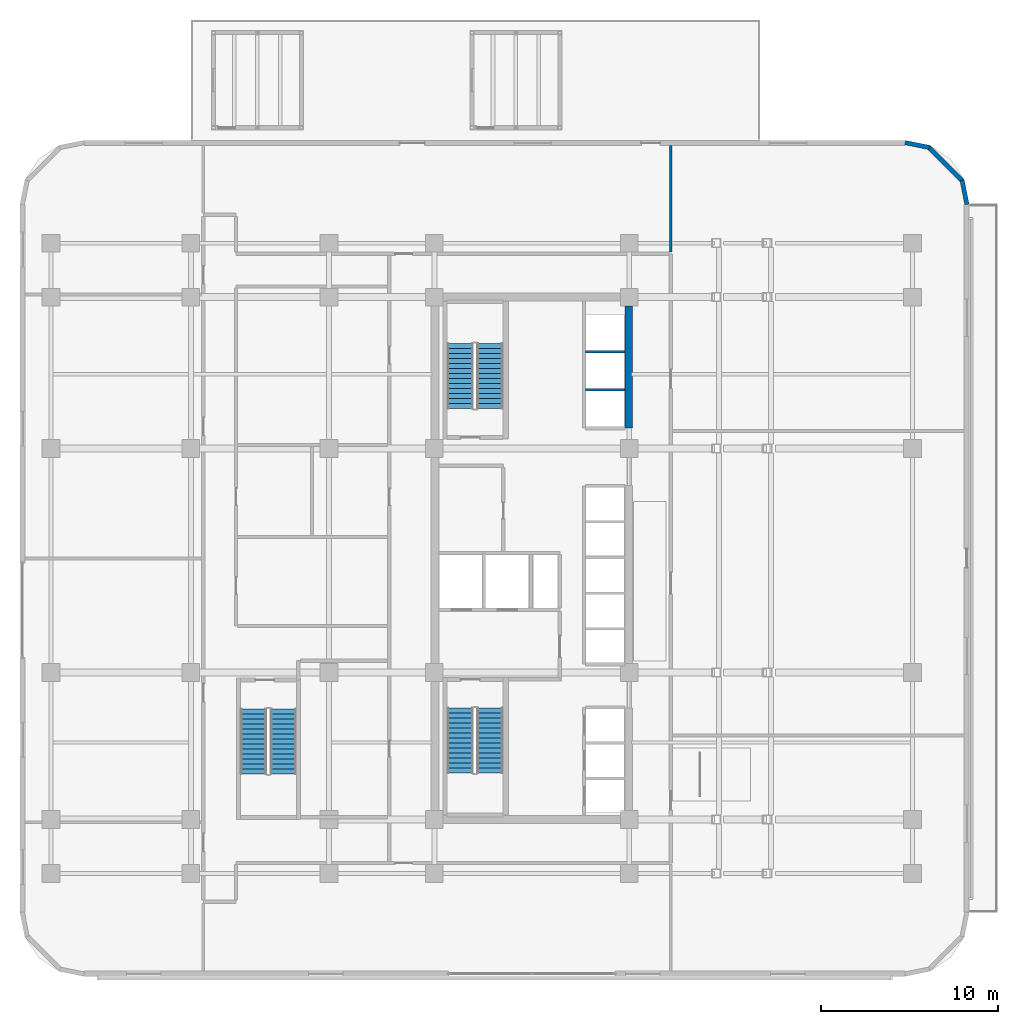
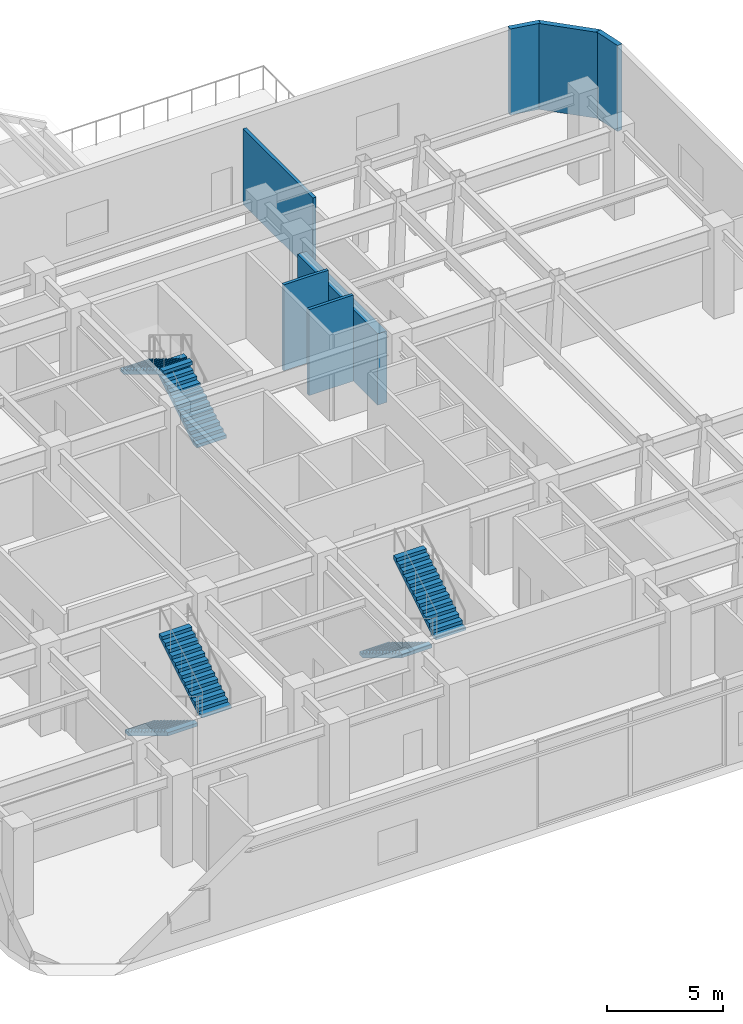
# One storey, part 11 of 18: 7 walls, 6 stair flights, 3 elements without a shape of their own.
"""IFC4 building model written with IfcOpenShell, lengths in metres."""

import ifcopenshell
import ifcopenshell.guid

model = None  # the IFC model being written
_history = None  # IfcOwnerHistory: only IFC2X3 demands one
_inside = {}  # id of a spatial element -> (the spatial element, [elements in it])
_under = {}  # id of a project, library or spatial element -> (it, [spatial elements below it])
_declared = {}  # id of a project -> (the project, [libraries it declares])
_typed = {}  # id of a type object -> (the type object, [elements of that type])
_made_of = {}  # id of a material, layer set ... -> (it, [elements and type objects made of it])


def new_model(schema):
    """Start an empty IFC model of exactly this schema.

    Asked for "IFC4X3", IfcOpenShell would pick the latest addendum, in which some entities
    have other attributes; the version numbers below select the first issue.
    IFC2X3 requires an IfcOwnerHistory on every rooted entity: one is made here for all.
    """
    global model, _history
    if schema == "IFC4X3":
        model = ifcopenshell.file(schema_version=(4, 3, 0, 0))
    else:
        model = ifcopenshell.file(schema=schema)
    _inside.clear()
    _under.clear()
    _declared.clear()
    _typed.clear()
    _made_of.clear()
    _history = None
    if model.schema == "IFC2X3":
        org = make("IfcOrganization", Name="unknown")
        user = make(
            "IfcPersonAndOrganization",
            ThePerson=make("IfcPerson", FamilyName="unknown"),
            TheOrganization=org,
        )
        app = make(
            "IfcApplication",
            ApplicationDeveloper=org,
            Version="unknown",
            ApplicationFullName="unknown",
            ApplicationIdentifier="unknown",
        )
        _history = make(
            "IfcOwnerHistory",
            OwningUser=user,
            OwningApplication=app,
            ChangeAction="ADDED",
            CreationDate=0,
        )
    return model


def make(cls, **values):
    """One entity of the class cls with the attributes given. An attribute that is None is left unset."""
    return model.create_entity(
        cls, **{name: value for name, value in values.items() if value is not None}
    )


def rooted(cls, **values):
    """An entity with a GlobalId (a new one), such as an element, a storey or a relation."""
    return make(cls, GlobalId=ifcopenshell.guid.new(), OwnerHistory=_history, **values)


def si_unit(unit_type, name, prefix=None):
    """IfcSIUnit, for example si_unit("LENGTHUNIT", "METRE", prefix="MILLI")."""
    return make("IfcSIUnit", UnitType=unit_type, Prefix=prefix, Name=name)


def assignment(units):
    """IfcUnitAssignment: the units of a project."""
    return None if units is None else make("IfcUnitAssignment", Units=units)


def point(xyz):
    """IfcCartesianPoint."""
    return None if xyz is None else make("IfcCartesianPoint", Coordinates=xyz)


def direction(xyz):
    """IfcDirection."""
    return None if xyz is None else make("IfcDirection", DirectionRatios=xyz)


def frame(location, z_axis=None, x_axis=None):
    """IfcAxis2Placement3D, a coordinate frame: its origin and axes. An axis left out is left unset."""
    return make(
        "IfcAxis2Placement3D",
        Location=point(location),
        Axis=direction(z_axis),
        RefDirection=direction(x_axis),
    )


def frame_2d(location, x_axis=None):
    """IfcAxis2Placement2D, a coordinate frame in the plane: its origin and x axis."""
    return make(
        "IfcAxis2Placement2D", Location=point(location), RefDirection=direction(x_axis)
    )


def origin():
    """The frame at (0, 0, 0) with its axes left unset."""
    return frame((0.0, 0.0, 0.0))


def place(relative_to, where):
    """IfcLocalPlacement: puts the frame where relative to a parent placement (None: the world)."""
    return make(
        "IfcLocalPlacement", PlacementRelTo=relative_to, RelativePlacement=where
    )


def context(
    kind, dimensions, precision=None, world=None, true_north=None, identifier=None
):
    """IfcGeometricRepresentationContext, for example the 3D "Model" context."""
    return make(
        "IfcGeometricRepresentationContext",
        ContextIdentifier=identifier,
        ContextType=kind,
        CoordinateSpaceDimension=dimensions,
        Precision=precision,
        WorldCoordinateSystem=world,
        TrueNorth=true_north,
    )


def subcontext(parent, identifier, kind, view, scale=None):
    """IfcGeometricRepresentationSubContext, for example "Body" below "Model"."""
    return make(
        "IfcGeometricRepresentationSubContext",
        ContextIdentifier=identifier,
        ContextType=kind,
        ParentContext=parent,
        TargetScale=scale,
        TargetView=view,
    )


def project(units=None, contexts=None):
    """IfcProject with its units and contexts."""
    return rooted(
        "IfcProject",
        Name="project",
        RepresentationContexts=contexts,
        UnitsInContext=assignment(units),
    )


def spatial(cls, under=None, at=None, **own):
    """A site, building, storey or space (cls), placed at a placement, below another one or the project."""
    s = rooted(cls, ObjectPlacement=at, **own)
    if under is not None:
        _under.setdefault(under.id(), (under, []))[1].append(s)
    return s


def polyline(points):
    """IfcPolyline through the points."""
    return make("IfcPolyline", Points=[point(p) for p in points])


def profile(cls, at=None, kind="AREA", **sizes):
    """A parametric profile (cls). Its sizes go by their IFC names, for example OverallWidth=200.0."""
    return make(cls, ProfileType=kind, Position=at, **sizes)


def rectangle(**sizes):
    """IfcRectangleProfileDef."""
    return profile("IfcRectangleProfileDef", **sizes)


def outline(outer, holes=None, kind="AREA"):
    """IfcArbitraryClosedProfileDef: a profile drawn as a closed curve; with holes, ...WithVoids."""
    if holes is None:
        return make("IfcArbitraryClosedProfileDef", ProfileType=kind, OuterCurve=outer)
    return make(
        "IfcArbitraryProfileDefWithVoids",
        ProfileType=kind,
        OuterCurve=outer,
        InnerCurves=holes,
    )


def extrude(swept, where, along, depth):
    """IfcExtrudedAreaSolid: the profile swept, set in the frame where, extruded along a direction by depth."""
    return make(
        "IfcExtrudedAreaSolid",
        SweptArea=swept,
        Position=where,
        ExtrudedDirection=direction(along),
        Depth=depth,
    )


def shape(context_of_items, identifier, shape_type, items):
    """IfcShapeRepresentation: the items that make up one representation, for example the "Body"."""
    return make(
        "IfcShapeRepresentation",
        ContextOfItems=context_of_items,
        RepresentationIdentifier=identifier,
        RepresentationType=shape_type,
        Items=items,
    )


def material(Name=None, Category=None):
    """IfcMaterial."""
    return make("IfcMaterial", Name=Name, Category=Category)


def layer(
    of_material, thickness, ventilated=None, Name=None, Category=None, Priority=None
):
    """IfcMaterialLayer: one layer of a wall or slab, of a material (None: an air gap)."""
    return make(
        "IfcMaterialLayer",
        Material=of_material,
        LayerThickness=thickness,
        IsVentilated=ventilated,
        Name=Name,
        Category=Category,
        Priority=Priority,
    )


def layer_set(layers, Name=None):
    """IfcMaterialLayerSet."""
    return make("IfcMaterialLayerSet", MaterialLayers=layers, LayerSetName=Name)


def made_of(thing, what):
    """Note that an element or type object is made of a material, layer set ...; save() writes the relation."""
    if what is not None:
        _made_of.setdefault(what.id(), (what, []))[1].append(thing)
    return thing


def type_object(cls, material=None, **own):
    """A type object (cls), such as IfcWallType, which elements share."""
    return made_of(rooted(cls, **own), material)


def element(
    cls,
    number,
    at=None,
    inside=None,
    cuts=None,
    type_object=None,
    material=None,
    context=None,
    identifier="Body",
    shape_type=None,
    held_by="IfcProductDefinitionShape",
    body=None,
    shapes=None,
    **own,
):
    """One element of the class cls, such as IfcWall. Its Tag is "e" and its number.

    at: its placement. inside: the storey or other place that contains it. cuts: it is an
    opening in that element (IfcRelVoidsElement). A single representation is given by context,
    identifier, shape_type and body (its items); several are given by shapes. held_by: the class
    of the entity that holds the representations. save() writes the other relations.
    """
    e = rooted(cls, Tag="e%d" % number, ObjectPlacement=at, **own)
    if body is not None:
        shapes = [shape(context, identifier, shape_type, body)]
    if shapes is not None:
        e.Representation = make(held_by, Representations=shapes)
    if inside is not None:
        _inside.setdefault(inside.id(), (inside, []))[1].append(e)
    if cuts is not None:
        rooted(
            "IfcRelVoidsElement", RelatingBuildingElement=cuts, RelatedOpeningElement=e
        )
    if type_object is not None:
        _typed.setdefault(type_object.id(), (type_object, []))[1].append(e)
    return made_of(e, material)


def aggregate(whole, parts):
    """IfcRelAggregates: a whole, such as a stair, and the parts it consists of."""
    return rooted("IfcRelAggregates", RelatingObject=whole, RelatedObjects=parts)


def save(model, path):
    """Write the relations noted so far, then the file.

    IfcRelAggregates (storeys below a building ...), IfcRelContainedInSpatialStructure (elements
    in a storey), IfcRelDefinesByType, IfcRelAssociatesMaterial and IfcRelDeclares: one each for
    every whole, place, type object, material and project.
    """
    for whole, parts in _under.values():
        aggregate(whole, parts)
    for where, things in _inside.values():
        rooted(
            "IfcRelContainedInSpatialStructure",
            RelatedElements=things,
            RelatingStructure=where,
        )
    for kind, things in _typed.values():
        rooted("IfcRelDefinesByType", RelatedObjects=things, RelatingType=kind)
    for what, things in _made_of.values():
        rooted("IfcRelAssociatesMaterial", RelatedObjects=things, RelatingMaterial=what)
    for by, libraries in _declared.values():
        rooted("IfcRelDeclares", RelatingContext=by, RelatedDefinitions=libraries)
    model.write(path)


model = new_model("IFC4")

# Units and contexts
model_context = context("Model", 3, precision=1e-05, world=origin(), true_north=direction((0.0, 1.0)))
body_context = subcontext(model_context, "Body", "Model", "MODEL_VIEW")
ifc_project = project(units=[si_unit("LENGTHUNIT", "METRE"), si_unit("AREAUNIT", "SQUARE_METRE"), si_unit("VOLUMEUNIT", "CUBIC_METRE"), si_unit("PLANEANGLEUNIT", "RADIAN"), si_unit("MASSUNIT", "GRAM", prefix="KILO")], contexts=[model_context])

# Site, building, storey
site_placement = place(None, origin())
site = spatial("IfcSite", under=ifc_project, at=site_placement, CompositionType="ELEMENT")
building_placement = place(site_placement, origin())
building = spatial("IfcBuilding", under=site, at=building_placement, Name="Ochreholt Gables", CompositionType="ELEMENT")
storey_placement = place(building_placement, frame((0.0, 0.0, 4.800048828125)))
storey = spatial("IfcBuildingStorey", under=building, at=storey_placement, Name="L01", CompositionType="ELEMENT", Elevation=4.800048828125)

# Walls
ifc_material_1 = material(Name="Concrete 60 MPa", Category="concrete")
ifc_layer_1 = layer(ifc_material_1, 0.449951171875, Name="Concrete 60 MPa")
ifc_layer_set_1 = layer_set([ifc_layer_1], Name="Concrete 60 MPa")
wall_type_1 = type_object("IfcWallType", Name="WALL-CSW-450", PredefinedType="SHEAR", material=ifc_layer_set_1)
wall_1_placement = place(storey_placement, frame((35.175048828125, 31.35009765625, 0.0), z_axis=(0.0, 0.0, 1.0), x_axis=(0.0, 1.0, 0.0)))
element("IfcWall", 1, at=wall_1_placement, inside=storey, type_object=wall_type_1, Name="L01 Core North-East Shear Wall", PredefinedType="SHEAR", context=body_context, shape_type="SweptSolid", body=[
    extrude(rectangle(XDim=6.89990234375, YDim=0.449951171875, at=frame_2d((3.449951171875, 0.0))), origin(), (0.0, 0.0, 1.0), 3.75),
])
ifc_material_2 = material(Name="Precast concrete 40 MPa", Category="concrete")
ifc_layer_2 = layer(ifc_material_2, 0.25, Name="Precast concrete 40 MPa")
ifc_layer_set_2 = layer_set([ifc_layer_2], Name="Precast concrete 40 MPa")
wall_type_2 = type_object("IfcWallType", Name="WALL-EXT-CNR", PredefinedType="SOLIDWALL", material=ifc_layer_set_2)
wall_2_placement = place(storey_placement, frame((54.27587890625, 43.9833984375, 0.0), z_axis=(0.0, 0.0, 1.0), x_axis=(-0.195135625965, 0.9807762678, 0.0)))
element("IfcWall", 2, at=wall_2_placement, inside=storey, type_object=wall_type_2, Name="L01 Rounded Corner Wall NE-1", PredefinedType="SOLIDWALL", context=body_context, shape_type="SweptSolid", body=[
    extrude(rectangle(XDim=1.388671875, YDim=0.25, at=frame_2d((0.6943359375, 0.0))), origin(), (0.0, 0.0, 1.0), 4.52001953125),
])
wall_3_placement = place(storey_placement, frame((54.031982421875, 45.294921875, 0.0), z_axis=(0.0, 0.0, 1.0), x_axis=(-0.707106781187, 0.707106781187, 0.0)))
element("IfcWall", 3, at=wall_3_placement, inside=storey, type_object=wall_type_2, Name="L01 Rounded Corner Wall NE-2", PredefinedType="SOLIDWALL", context=body_context, shape_type="SweptSolid", body=[
    extrude(rectangle(XDim=2.7392578125, YDim=0.25, at=frame_2d((1.36962890625, 0.0))), origin(), (0.0, 0.0, 1.0), 4.52001953125),
])
wall_4_placement = place(storey_placement, frame((52.1455078125, 47.205078125, 0.0), z_axis=(0.0, 0.0, 1.0), x_axis=(-0.980809899341, 0.19496651342, 0.0)))
element("IfcWall", 4, at=wall_4_placement, inside=storey, type_object=wall_type_2, Name="L01 Rounded Corner Wall NE-3", PredefinedType="SOLIDWALL", context=body_context, shape_type="SweptSolid", body=[
    extrude(rectangle(XDim=1.388671875, YDim=0.25, at=frame_2d((0.6943359375, 0.0))), origin(), (0.0, 0.0, 1.0), 4.52001953125),
])
ifc_material_3 = material(Name="Gypsum Acoustic Stud Partition", Category="gypsum")
ifc_layer_3 = layer(ifc_material_3, 0.159912109375, Name="Gypsum Acoustic Stud Partition")
ifc_layer_set_3 = layer_set([ifc_layer_3], Name="Gypsum Acoustic Stud Partition")
wall_type_3 = type_object("IfcWallType", Name="WALL-INT-PT160", PredefinedType="PARTITIONING", material=ifc_layer_set_3)
wall_5_placement = place(storey_placement, frame((37.550048828125, 41.294921875, 0.0), z_axis=(0.0, 0.0, 1.0), x_axis=(0.0, 1.0, 0.0)))
element("IfcWall", 5, at=wall_5_placement, inside=storey, type_object=wall_type_3, Name="L01 Interior Wall WI-CLCEN-L01", PredefinedType="PARTITIONING", context=body_context, shape_type="SweptSolid", body=[
    extrude(rectangle(XDim=6.01513671875, YDim=0.159912109375, at=frame_2d((3.007568359375, 0.0))), origin(), (0.0, 0.0, 1.0), 3.968994140625),
])
ifc_material_4 = material(Name="Gypsum Shaftliner and Steel Stud", Category="steel")
ifc_layer_4 = layer(ifc_material_4, 0.14990234375, Name="Gypsum Shaftliner and Steel Stud")
ifc_layer_set_4 = layer_set([ifc_layer_4], Name="Gypsum Shaftliner and Steel Stud")
wall_type_4 = type_object("IfcWallType", Name="WALL-INT-SH150", PredefinedType="STANDARD", material=ifc_layer_set_4)
for number, where, z_axis, x_axis, name in (
    (6, (32.739990234375, 33.52001953125, 0.0), (0.0, 0.0, 1.0), (1.0, 0.0, 0.0), "L01 Interior Wall WI-LFM-D1-L01"),
    (7, (32.739990234375, 35.669921875, 0.0), (0.0, 0.0, 1.0), (1.0, 0.0, 0.0), "L01 Interior Wall WI-LFM-D2-L01"),
):
    element("IfcWall", number, at=place(storey_placement, frame(where, z_axis=z_axis, x_axis=x_axis)), inside=storey, type_object=wall_type_4, Name=name, PredefinedType="STANDARD", context=body_context, shape_type="SweptSolid", body=[
        extrude(rectangle(XDim=2.2099609375, YDim=0.14990234375, at=frame_2d((1.10498046875, 0.0))), origin(), (0.0, 0.0, 1.0), 4.52001953125),
    ])

# Stair, stair flights
ifc_material_5 = material(Name="Concrete 40 MPa", Category="concrete")
stair_type_1 = type_object("IfcStairType", Name="STAIR-CORE-ST-1", PredefinedType="HALF_TURN_STAIR", material=ifc_material_5)
stair_1_placement = place(storey_placement, origin())
stair_1 = element("IfcStair", 8, at=stair_1_placement, inside=storey, type_object=stair_type_1, Name="L01 Core Exit Stair 1", PredefinedType="HALF_TURN_STAIR")
stair_flight_type = type_object("IfcStairFlightType", Name="FLIGHT-ST-1480-1714", PredefinedType="STRAIGHT", material=ifc_material_5)
stair_flight_1_placement = place(storey_placement, frame((25.659912109375, 15.5400390625, 0.0), z_axis=(0.0, 0.0, 1.0), x_axis=(0.0, -1.0, 0.0)))
stair_flight_1 = element("IfcStairFlight", 9, at=stair_flight_1_placement, type_object=stair_flight_type, Name="ST-1 flight 1", NumberOfRisers=14, NumberOfTreads=13, PredefinedType="STRAIGHT", RiserHeight=0.171428571, TreadLength=0.282, context=body_context, shape_type="SweptSolid", body=[
    extrude(outline(polyline([(0.0, 0.0), (0.0, 0.17138671875), (0.281982421875, 0.17138671875), (0.281982421875, 0.3427734375), (0.56396484375, 0.3427734375), (0.56396484375, 0.514404296875), (0.845947265625, 0.514404296875), (0.845947265625, 0.685791015625), (1.1279296875, 0.685791015625), (1.1279296875, 0.857177734375), (1.409912109375, 0.857177734375), (1.409912109375, 1.028564453125), (1.69189453125, 1.028564453125), (1.69189453125, 1.199951171875), (1.97412109375, 1.199951171875), (1.97412109375, 1.371337890625), (2.256103515625, 1.371337890625), (2.256103515625, 1.54296875), (2.5380859375, 1.54296875), (2.5380859375, 1.71435546875), (2.820068359375, 1.71435546875), (2.820068359375, 1.8857421875), (3.10205078125, 1.8857421875), (3.10205078125, 2.05712890625), (3.384033203125, 2.05712890625), (3.384033203125, 2.228515625), (3.666015625, 2.228515625), (3.666015625, 2.39990234375), (3.666015625, 2.05322265625), (0.28857421875, 0.0), (0.0, 0.0)])), frame((0.0, 0.739990234375, 0.0), z_axis=(0.0, -1.0, 0.0), x_axis=(1.0, 0.0, 0.0)), (0.0, 0.0, 1.0), 1.47998046875),
])
stair_flight_2_placement = place(storey_placement, frame((27.340087890625, 11.8740234375, 2.39990234375), z_axis=(0.0, 0.0, 1.0), x_axis=(0.0, 1.0, 0.0)))
stair_flight_2 = element("IfcStairFlight", 10, at=stair_flight_2_placement, type_object=stair_flight_type, Name="ST-1 flight 2", NumberOfRisers=14, NumberOfTreads=13, PredefinedType="STRAIGHT", RiserHeight=0.171428571, TreadLength=0.282, context=body_context, shape_type="SweptSolid", body=[
    extrude(outline(polyline([(0.0, 0.0), (0.0, 0.17138671875), (0.281982421875, 0.17138671875), (0.281982421875, 0.3427734375), (0.56396484375, 0.3427734375), (0.56396484375, 0.514404296875), (0.845947265625, 0.514404296875), (0.845947265625, 0.685791015625), (1.1279296875, 0.685791015625), (1.1279296875, 0.857177734375), (1.409912109375, 0.857177734375), (1.409912109375, 1.028564453125), (1.69189453125, 1.028564453125), (1.69189453125, 1.199951171875), (1.97412109375, 1.199951171875), (1.97412109375, 1.371337890625), (2.256103515625, 1.371337890625), (2.256103515625, 1.54296875), (2.5380859375, 1.54296875), (2.5380859375, 1.71435546875), (2.820068359375, 1.71435546875), (2.820068359375, 1.8857421875), (3.10205078125, 1.8857421875), (3.10205078125, 2.05712890625), (3.384033203125, 2.05712890625), (3.384033203125, 2.228515625), (3.666015625, 2.228515625), (3.666015625, 2.39990234375), (3.666015625, 2.05322265625), (0.28857421875, 0.0), (0.0, 0.0)])), frame((0.0, 0.739990234375, 0.0), z_axis=(0.0, -1.0, 0.0), x_axis=(1.0, 0.0, 0.0)), (0.0, 0.0, 1.0), 1.47998046875),
])
aggregate(stair_1, [stair_flight_1, stair_flight_2])

stair_type_2 = type_object("IfcStairType", Name="STAIR-CORE-ST-2", PredefinedType="HALF_TURN_STAIR", material=ifc_material_5)
stair_2_placement = place(storey_placement, origin())
stair_2 = element("IfcStair", 11, at=stair_2_placement, inside=storey, type_object=stair_type_2, Name="L01 Core Exit Stair 2", PredefinedType="HALF_TURN_STAIR")
stair_flight_3_placement = place(storey_placement, frame((27.340087890625, 32.4599609375, 0.0), z_axis=(0.0, 0.0, 1.0), x_axis=(0.0, 1.0, 0.0)))
stair_flight_3 = element("IfcStairFlight", 12, at=stair_flight_3_placement, type_object=stair_flight_type, Name="ST-2 flight 1", NumberOfRisers=14, NumberOfTreads=13, PredefinedType="STRAIGHT", RiserHeight=0.171428571, TreadLength=0.282, context=body_context, shape_type="SweptSolid", body=[
    extrude(outline(polyline([(0.0, 0.0), (0.0, 0.17138671875), (0.281982421875, 0.17138671875), (0.281982421875, 0.3427734375), (0.56396484375, 0.3427734375), (0.56396484375, 0.514404296875), (0.845947265625, 0.514404296875), (0.845947265625, 0.685791015625), (1.1279296875, 0.685791015625), (1.1279296875, 0.857177734375), (1.409912109375, 0.857177734375), (1.409912109375, 1.028564453125), (1.69189453125, 1.028564453125), (1.69189453125, 1.199951171875), (1.97412109375, 1.199951171875), (1.97412109375, 1.371337890625), (2.256103515625, 1.371337890625), (2.256103515625, 1.54296875), (2.5380859375, 1.54296875), (2.5380859375, 1.71435546875), (2.820068359375, 1.71435546875), (2.820068359375, 1.8857421875), (3.10205078125, 1.8857421875), (3.10205078125, 2.05712890625), (3.384033203125, 2.05712890625), (3.384033203125, 2.228515625), (3.666015625, 2.228515625), (3.666015625, 2.39990234375), (3.666015625, 2.05322265625), (0.28857421875, 0.0), (0.0, 0.0)])), frame((0.0, 0.739990234375, 0.0), z_axis=(0.0, -1.0, 0.0), x_axis=(1.0, 0.0, 0.0)), (0.0, 0.0, 1.0), 1.47998046875),
])
stair_flight_4_placement = place(storey_placement, frame((25.659912109375, 36.1259765625, 2.39990234375), z_axis=(0.0, 0.0, 1.0), x_axis=(0.0, -1.0, 0.0)))
stair_flight_4 = element("IfcStairFlight", 13, at=stair_flight_4_placement, type_object=stair_flight_type, Name="ST-2 flight 2", NumberOfRisers=14, NumberOfTreads=13, PredefinedType="STRAIGHT", RiserHeight=0.171428571, TreadLength=0.282, context=body_context, shape_type="SweptSolid", body=[
    extrude(outline(polyline([(0.0, 0.0), (0.0, 0.17138671875), (0.281982421875, 0.17138671875), (0.281982421875, 0.3427734375), (0.56396484375, 0.3427734375), (0.56396484375, 0.514404296875), (0.845947265625, 0.514404296875), (0.845947265625, 0.685791015625), (1.1279296875, 0.685791015625), (1.1279296875, 0.857177734375), (1.409912109375, 0.857177734375), (1.409912109375, 1.028564453125), (1.69189453125, 1.028564453125), (1.69189453125, 1.199951171875), (1.97412109375, 1.199951171875), (1.97412109375, 1.371337890625), (2.256103515625, 1.371337890625), (2.256103515625, 1.54296875), (2.5380859375, 1.54296875), (2.5380859375, 1.71435546875), (2.820068359375, 1.71435546875), (2.820068359375, 1.8857421875), (3.10205078125, 1.8857421875), (3.10205078125, 2.05712890625), (3.384033203125, 2.05712890625), (3.384033203125, 2.228515625), (3.666015625, 2.228515625), (3.666015625, 2.39990234375), (3.666015625, 2.05322265625), (0.28857421875, 0.0), (0.0, 0.0)])), frame((0.0, 0.739990234375, 0.0), z_axis=(0.0, -1.0, 0.0), x_axis=(1.0, 0.0, 0.0)), (0.0, 0.0, 1.0), 1.47998046875),
])
aggregate(stair_2, [stair_flight_3, stair_flight_4])

stair_type_3 = type_object("IfcStairType", Name="STAIR-CORE-ST-P1", PredefinedType="HALF_TURN_STAIR", material=ifc_material_5)
stair_3_placement = place(storey_placement, origin())
stair_3 = element("IfcStair", 14, at=stair_3_placement, inside=storey, type_object=stair_type_3, Name="L01 Podium Exit Stair 3", PredefinedType="HALF_TURN_STAIR")
stair_flight_5_placement = place(storey_placement, frame((13.989990234375, 15.5, 0.0), z_axis=(0.0, 0.0, 1.0), x_axis=(0.0, -1.0, 0.0)))
stair_flight_5 = element("IfcStairFlight", 15, at=stair_flight_5_placement, type_object=stair_flight_type, Name="ST-P1 flight 1", NumberOfRisers=14, NumberOfTreads=13, PredefinedType="STRAIGHT", RiserHeight=0.171428571, TreadLength=0.282, context=body_context, shape_type="SweptSolid", body=[
    extrude(outline(polyline([(0.0, 0.0), (0.0, 0.17138671875), (0.281982421875, 0.17138671875), (0.281982421875, 0.3427734375), (0.56396484375, 0.3427734375), (0.56396484375, 0.514404296875), (0.845947265625, 0.514404296875), (0.845947265625, 0.685791015625), (1.1279296875, 0.685791015625), (1.1279296875, 0.857177734375), (1.409912109375, 0.857177734375), (1.409912109375, 1.028564453125), (1.69189453125, 1.028564453125), (1.69189453125, 1.199951171875), (1.97412109375, 1.199951171875), (1.97412109375, 1.371337890625), (2.256103515625, 1.371337890625), (2.256103515625, 1.54296875), (2.5380859375, 1.54296875), (2.5380859375, 1.71435546875), (2.820068359375, 1.71435546875), (2.820068359375, 1.8857421875), (3.10205078125, 1.8857421875), (3.10205078125, 2.05712890625), (3.384033203125, 2.05712890625), (3.384033203125, 2.228515625), (3.666015625, 2.228515625), (3.666015625, 2.39990234375), (3.666015625, 2.05322265625), (0.28857421875, 0.0), (0.0, 0.0)])), frame((0.0, 0.739990234375, 0.0), z_axis=(0.0, -1.0, 0.0), x_axis=(1.0, 0.0, 0.0)), (0.0, 0.0, 1.0), 1.47998046875),
])
stair_flight_6_placement = place(storey_placement, frame((15.669921875, 11.833984375, 2.39990234375), z_axis=(0.0, 0.0, 1.0), x_axis=(0.0, 1.0, 0.0)))
stair_flight_6 = element("IfcStairFlight", 16, at=stair_flight_6_placement, type_object=stair_flight_type, Name="ST-P1 flight 2", NumberOfRisers=14, NumberOfTreads=13, PredefinedType="STRAIGHT", RiserHeight=0.171428571, TreadLength=0.282, context=body_context, shape_type="SweptSolid", body=[
    extrude(outline(polyline([(0.0, 0.0), (0.0, 0.17138671875), (0.281982421875, 0.17138671875), (0.281982421875, 0.3427734375), (0.56396484375, 0.3427734375), (0.56396484375, 0.514404296875), (0.845947265625, 0.514404296875), (0.845947265625, 0.685791015625), (1.1279296875, 0.685791015625), (1.1279296875, 0.857177734375), (1.409912109375, 0.857177734375), (1.409912109375, 1.028564453125), (1.69189453125, 1.028564453125), (1.69189453125, 1.199951171875), (1.97412109375, 1.199951171875), (1.97412109375, 1.371337890625), (2.256103515625, 1.371337890625), (2.256103515625, 1.54296875), (2.5380859375, 1.54296875), (2.5380859375, 1.71435546875), (2.820068359375, 1.71435546875), (2.820068359375, 1.8857421875), (3.10205078125, 1.8857421875), (3.10205078125, 2.05712890625), (3.384033203125, 2.05712890625), (3.384033203125, 2.228515625), (3.666015625, 2.228515625), (3.666015625, 2.39990234375), (3.666015625, 2.05322265625), (0.28857421875, 0.0), (0.0, 0.0)])), frame((0.0, 0.739990234375, 0.0), z_axis=(0.0, -1.0, 0.0), x_axis=(1.0, 0.0, 0.0)), (0.0, 0.0, 1.0), 1.47998046875),
])
aggregate(stair_3, [stair_flight_5, stair_flight_6])

save(model, "model.ifc")
